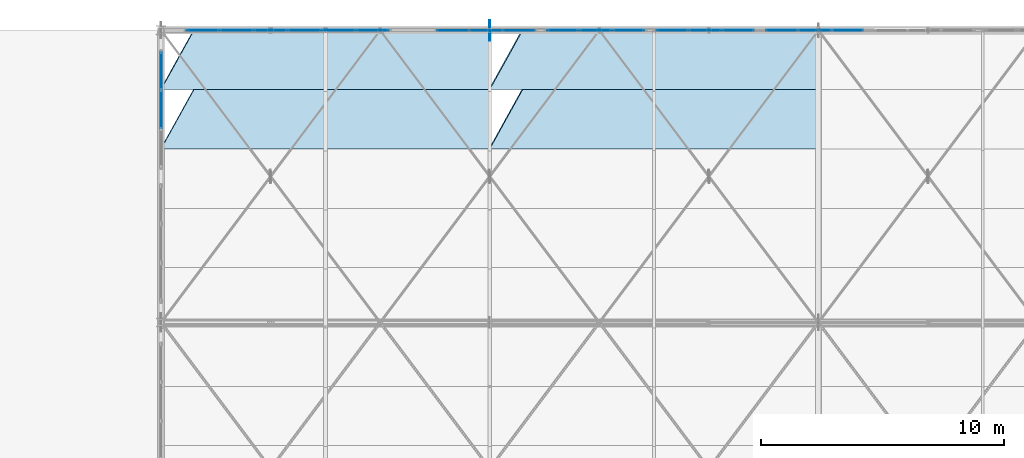
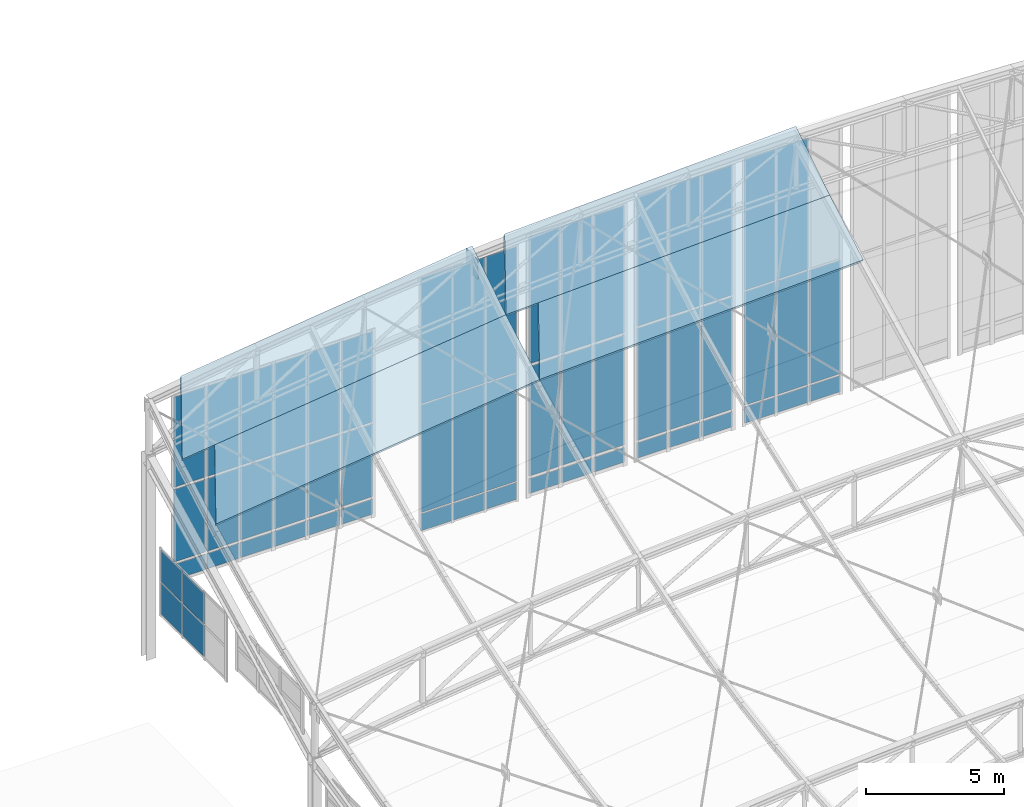
# One storey, part 234 of 262: 58 plates, 4 slabs, 6 elements without a shape of their own.
"""IFC4 building model written with IfcOpenShell, lengths in metres."""

from ifc_helpers import new_model, si_unit, derived_unit, direction, frame, origin, origin_2d, place, context, subcontext, project, spatial, polyline, rectangle, outline, extrude, material, layer, layer_set, type_object, element, aggregate, save


model = new_model("IFC4")

# Units and contexts
model_context = context("Model", 3, precision=1e-05, world=origin(), true_north=direction((0.0, 1.0)))
body_context = subcontext(model_context, "Body", "Model", "MODEL_VIEW")
ifc_project = project(units=[si_unit("LENGTHUNIT", "METRE"), si_unit("AREAUNIT", "SQUARE_METRE"), si_unit("VOLUMEUNIT", "CUBIC_METRE"), si_unit("PLANEANGLEUNIT", "RADIAN"), si_unit("MASSUNIT", "GRAM", prefix="KILO"), derived_unit("THERMALTRANSMITTANCEUNIT", [(si_unit("POWERUNIT", "WATT"), 1), (si_unit("LENGTHUNIT", "METRE"), -2), (si_unit("THERMODYNAMICTEMPERATUREUNIT", "KELVIN"), -1)])], contexts=[model_context])

# Site, building, storey
site_placement = place(None, origin())
site = spatial("IfcSite", under=ifc_project, at=site_placement, CompositionType="ELEMENT")
building_placement = place(site_placement, origin())
building = spatial("IfcBuilding", under=site, at=building_placement, Name="Almenara Railside Exhibition Hall", CompositionType="ELEMENT")
storey_placement = place(building_placement, frame((0.0, 0.0, 21.699951171875)))
storey = spatial("IfcBuildingStorey", under=building, at=storey_placement, Name="RF", CompositionType="ELEMENT", Elevation=21.699951171875)

# Curtain wall, plates
ifc_material_1 = material(Name="Bronze-anodised aluminium and low-E double glazing", Category="aluminium")
ifc_layer_1 = layer(ifc_material_1, 0.179931640625, Name="Bronze-anodised aluminium and low-E double glazing")
ifc_layer_set_1 = layer_set([ifc_layer_1], Name="Bronze-anodised aluminium and low-E double glazing")
curtain_wall_type_1 = type_object("IfcCurtainWallType", Name="Scroll Gable Tall Curtain Wall 3800x5400", PredefinedType="NOTDEFINED", material=ifc_layer_set_1)
curtain_wall_1_placement = place(storey_placement, origin())
curtain_wall_1 = element("IfcCurtainWall", 1, at=curtain_wall_1_placement, inside=storey, type_object=curtain_wall_type_1, Name="Curtain wall CW-G1-205", PredefinedType="NOTDEFINED")
ifc_material_2 = material(Name="Solar-control acoustic laminated glazing", Category="glass")
ifc_layer_2 = layer(ifc_material_2, 0.031982421875, Name="Solar-control acoustic laminated glazing")
ifc_layer_set_2 = layer_set([ifc_layer_2], Name="Solar-control acoustic laminated glazing")
plate_type_1 = type_object("IfcPlateType", Name="Acoustic Low-E Double Glazing Panel 32mm", PredefinedType="CURTAIN_PANEL", material=ifc_layer_set_2)
plate_1_placement = place(storey_placement, frame((13.71630859375, 132.0, 0.6240234375), z_axis=(0.0, 0.0, 1.0), x_axis=(1.0, 0.0, 0.0)))
plate_1 = element("IfcPlate", 2, at=plate_1_placement, type_object=plate_type_1, Name="CW-G1-205 panel 1.1", PredefinedType="CURTAIN_PANEL", context=body_context, shape_type="SweptSolid", body=[
    extrude(rectangle(XDim=1.318603515625, YDim=0.031982421875, at=origin_2d()), origin(), (0.0, 0.0, 1.0), 0.672119140625),
])
plate_2_placement = place(storey_placement, frame((13.71630859375, 132.0, 1.404052734375), z_axis=(0.0, 0.0, 1.0), x_axis=(1.0, 0.0, 0.0)))
plate_2 = element("IfcPlate", 3, at=plate_2_placement, type_object=plate_type_1, Name="CW-G1-205 panel 1.2", PredefinedType="CURTAIN_PANEL", context=body_context, shape_type="SweptSolid", body=[
    extrude(rectangle(XDim=1.318603515625, YDim=0.031982421875, at=origin_2d()), origin(), (0.0, 0.0, 1.0), 3.19189453125),
])
plate_3_placement = place(storey_placement, frame((13.71630859375, 132.0, 4.7041015625), z_axis=(0.0, 0.0, 1.0), x_axis=(1.0, 0.0, 0.0)))
plate_3 = element("IfcPlate", 4, at=plate_3_placement, type_object=plate_type_1, Name="CW-G1-205 panel 1.3", PredefinedType="CURTAIN_PANEL", context=body_context, shape_type="SweptSolid", body=[
    extrude(rectangle(XDim=1.318603515625, YDim=0.031982421875, at=origin_2d()), origin(), (0.0, 0.0, 1.0), 3.971923828125),
])
plate_4_placement = place(storey_placement, frame((15.10009765625, 132.0, 0.6240234375), z_axis=(0.0, 0.0, 1.0), x_axis=(1.0, 0.0, 0.0)))
plate_4 = element("IfcPlate", 5, at=plate_4_placement, type_object=plate_type_1, Name="CW-G1-205 panel 2.1", PredefinedType="CURTAIN_PANEL", context=body_context, shape_type="SweptSolid", body=[
    extrude(rectangle(XDim=1.35107421875, YDim=0.031982421875, at=origin_2d()), origin(), (0.0, 0.0, 1.0), 0.672119140625),
])
plate_5_placement = place(storey_placement, frame((15.10009765625, 132.0, 1.404052734375), z_axis=(0.0, 0.0, 1.0), x_axis=(1.0, 0.0, 0.0)))
plate_5 = element("IfcPlate", 6, at=plate_5_placement, type_object=plate_type_1, Name="CW-G1-205 panel 2.2", PredefinedType="CURTAIN_PANEL", context=body_context, shape_type="SweptSolid", body=[
    extrude(rectangle(XDim=1.35107421875, YDim=0.031982421875, at=origin_2d()), origin(), (0.0, 0.0, 1.0), 3.19189453125),
])
plate_6_placement = place(storey_placement, frame((15.10009765625, 132.0, 4.7041015625), z_axis=(0.0, 0.0, 1.0), x_axis=(1.0, 0.0, 0.0)))
plate_6 = element("IfcPlate", 7, at=plate_6_placement, type_object=plate_type_1, Name="CW-G1-205 panel 2.3", PredefinedType="CURTAIN_PANEL", context=body_context, shape_type="SweptSolid", body=[
    extrude(rectangle(XDim=1.35107421875, YDim=0.031982421875, at=origin_2d()), origin(), (0.0, 0.0, 1.0), 3.971923828125),
])
plate_7_placement = place(storey_placement, frame((16.5, 132.0, 0.6240234375), z_axis=(0.0, 0.0, 1.0), x_axis=(1.0, 0.0, 0.0)))
plate_7 = element("IfcPlate", 8, at=plate_7_placement, type_object=plate_type_1, Name="CW-G1-205 panel 3.1", PredefinedType="CURTAIN_PANEL", context=body_context, shape_type="SweptSolid", body=[
    extrude(rectangle(XDim=1.35107421875, YDim=0.031982421875, at=origin_2d()), origin(), (0.0, 0.0, 1.0), 0.672119140625),
])
plate_8_placement = place(storey_placement, frame((16.5, 132.0, 1.404052734375), z_axis=(0.0, 0.0, 1.0), x_axis=(1.0, 0.0, 0.0)))
plate_8 = element("IfcPlate", 9, at=plate_8_placement, type_object=plate_type_1, Name="CW-G1-205 panel 3.2", PredefinedType="CURTAIN_PANEL", context=body_context, shape_type="SweptSolid", body=[
    extrude(rectangle(XDim=1.35107421875, YDim=0.031982421875, at=origin_2d()), origin(), (0.0, 0.0, 1.0), 3.19189453125),
])
plate_9_placement = place(storey_placement, frame((16.5, 132.0, 4.7041015625), z_axis=(0.0, 0.0, 1.0), x_axis=(1.0, 0.0, 0.0)))
plate_9 = element("IfcPlate", 10, at=plate_9_placement, type_object=plate_type_1, Name="CW-G1-205 panel 3.3", PredefinedType="CURTAIN_PANEL", context=body_context, shape_type="SweptSolid", body=[
    extrude(rectangle(XDim=1.35107421875, YDim=0.031982421875, at=origin_2d()), origin(), (0.0, 0.0, 1.0), 3.971923828125),
])
plate_10_placement = place(storey_placement, frame((17.89990234375, 132.0, 0.6240234375), z_axis=(0.0, 0.0, 1.0), x_axis=(1.0, 0.0, 0.0)))
plate_10 = element("IfcPlate", 11, at=plate_10_placement, type_object=plate_type_1, Name="CW-G1-205 panel 4.1", PredefinedType="CURTAIN_PANEL", context=body_context, shape_type="SweptSolid", body=[
    extrude(rectangle(XDim=1.35107421875, YDim=0.031982421875, at=origin_2d()), origin(), (0.0, 0.0, 1.0), 0.672119140625),
])
plate_11_placement = place(storey_placement, frame((17.89990234375, 132.0, 1.404052734375), z_axis=(0.0, 0.0, 1.0), x_axis=(1.0, 0.0, 0.0)))
plate_11 = element("IfcPlate", 12, at=plate_11_placement, type_object=plate_type_1, Name="CW-G1-205 panel 4.2", PredefinedType="CURTAIN_PANEL", context=body_context, shape_type="SweptSolid", body=[
    extrude(rectangle(XDim=1.35107421875, YDim=0.031982421875, at=origin_2d()), origin(), (0.0, 0.0, 1.0), 3.19189453125),
])
plate_12_placement = place(storey_placement, frame((17.89990234375, 132.0, 4.7041015625), z_axis=(0.0, 0.0, 1.0), x_axis=(1.0, 0.0, 0.0)))
plate_12 = element("IfcPlate", 13, at=plate_12_placement, type_object=plate_type_1, Name="CW-G1-205 panel 4.3", PredefinedType="CURTAIN_PANEL", context=body_context, shape_type="SweptSolid", body=[
    extrude(rectangle(XDim=1.35107421875, YDim=0.031982421875, at=origin_2d()), origin(), (0.0, 0.0, 1.0), 3.971923828125),
])
plate_13_placement = place(storey_placement, frame((19.300048828125, 132.0, 0.6240234375), z_axis=(0.0, 0.0, 1.0), x_axis=(1.0, 0.0, 0.0)))
plate_13 = element("IfcPlate", 14, at=plate_13_placement, type_object=plate_type_1, Name="CW-G1-205 panel 5.1", PredefinedType="CURTAIN_PANEL", context=body_context, shape_type="SweptSolid", body=[
    extrude(rectangle(XDim=1.35107421875, YDim=0.031982421875, at=origin_2d()), origin(), (0.0, 0.0, 1.0), 0.672119140625),
])
plate_14_placement = place(storey_placement, frame((19.300048828125, 132.0, 1.404052734375), z_axis=(0.0, 0.0, 1.0), x_axis=(1.0, 0.0, 0.0)))
plate_14 = element("IfcPlate", 15, at=plate_14_placement, type_object=plate_type_1, Name="CW-G1-205 panel 5.2", PredefinedType="CURTAIN_PANEL", context=body_context, shape_type="SweptSolid", body=[
    extrude(rectangle(XDim=1.35107421875, YDim=0.031982421875, at=origin_2d()), origin(), (0.0, 0.0, 1.0), 3.19189453125),
])
plate_15_placement = place(storey_placement, frame((19.300048828125, 132.0, 4.7041015625), z_axis=(0.0, 0.0, 1.0), x_axis=(1.0, 0.0, 0.0)))
plate_15 = element("IfcPlate", 16, at=plate_15_placement, type_object=plate_type_1, Name="CW-G1-205 panel 5.3", PredefinedType="CURTAIN_PANEL", context=body_context, shape_type="SweptSolid", body=[
    extrude(rectangle(XDim=1.35107421875, YDim=0.031982421875, at=origin_2d()), origin(), (0.0, 0.0, 1.0), 3.971923828125),
])
plate_16_placement = place(storey_placement, frame((20.683837890625, 132.0, 0.6240234375), z_axis=(0.0, 0.0, 1.0), x_axis=(1.0, 0.0, 0.0)))
plate_16 = element("IfcPlate", 17, at=plate_16_placement, type_object=plate_type_1, Name="CW-G1-205 panel 6.1", PredefinedType="CURTAIN_PANEL", context=body_context, shape_type="SweptSolid", body=[
    extrude(rectangle(XDim=1.318603515625, YDim=0.031982421875, at=origin_2d()), origin(), (0.0, 0.0, 1.0), 0.672119140625),
])
plate_17_placement = place(storey_placement, frame((20.683837890625, 132.0, 1.404052734375), z_axis=(0.0, 0.0, 1.0), x_axis=(1.0, 0.0, 0.0)))
plate_17 = element("IfcPlate", 18, at=plate_17_placement, type_object=plate_type_1, Name="CW-G1-205 panel 6.2", PredefinedType="CURTAIN_PANEL", context=body_context, shape_type="SweptSolid", body=[
    extrude(rectangle(XDim=1.318603515625, YDim=0.031982421875, at=origin_2d()), origin(), (0.0, 0.0, 1.0), 3.19189453125),
])
plate_18_placement = place(storey_placement, frame((20.683837890625, 132.0, 4.7041015625), z_axis=(0.0, 0.0, 1.0), x_axis=(1.0, 0.0, 0.0)))
plate_18 = element("IfcPlate", 19, at=plate_18_placement, type_object=plate_type_1, Name="CW-G1-205 panel 6.3", PredefinedType="CURTAIN_PANEL", context=body_context, shape_type="SweptSolid", body=[
    extrude(rectangle(XDim=1.318603515625, YDim=0.031982421875, at=origin_2d()), origin(), (0.0, 0.0, 1.0), 3.971923828125),
])
aggregate(curtain_wall_1, [plate_1, plate_2, plate_3, plate_4, plate_5, plate_6, plate_7, plate_8, plate_9, plate_10, plate_11, plate_12, plate_13, plate_14, plate_15, plate_16, plate_17, plate_18])

curtain_wall_2_placement = place(storey_placement, origin())
curtain_wall_2 = element("IfcCurtainWall", 20, at=curtain_wall_2_placement, inside=storey, type_object=curtain_wall_type_1, Name="Curtain wall CW-G1-210", PredefinedType="NOTDEFINED")
plate_19_placement = place(storey_placement, frame((37.498291015625, 132.0, -0.80615234375), z_axis=(0.0, 0.0, 1.0), x_axis=(1.0, 0.0, 0.0)))
plate_19 = element("IfcPlate", 21, at=plate_19_placement, type_object=plate_type_1, Name="CW-G1-210 panel 1.1", PredefinedType="CURTAIN_PANEL", context=body_context, shape_type="SweptSolid", body=[
    extrude(rectangle(XDim=1.292724609375, YDim=0.031982421875, at=origin_2d()), origin(), (0.0, 0.0, 1.0), 0.717041015625),
])
plate_20_placement = place(storey_placement, frame((37.498291015625, 132.0, -0.010986328125), z_axis=(0.0, 0.0, 1.0), x_axis=(1.0, 0.0, 0.0)))
plate_20 = element("IfcPlate", 22, at=plate_20_placement, type_object=plate_type_1, Name="CW-G1-210 panel 1.2", PredefinedType="CURTAIN_PANEL", context=body_context, shape_type="SweptSolid", body=[
    extrude(rectangle(XDim=1.292724609375, YDim=0.031982421875, at=origin_2d()), origin(), (0.0, 0.0, 1.0), 4.9970703125),
])
plate_21_placement = place(storey_placement, frame((37.498291015625, 132.0, 5.06396484375), z_axis=(0.0, 0.0, 1.0), x_axis=(1.0, 0.0, 0.0)))
plate_21 = element("IfcPlate", 23, at=plate_21_placement, type_object=plate_type_1, Name="CW-G1-210 panel 1.3", PredefinedType="CURTAIN_PANEL", context=body_context, shape_type="SweptSolid", body=[
    extrude(rectangle(XDim=1.292724609375, YDim=0.031982421875, at=origin_2d()), origin(), (0.0, 0.0, 1.0), 5.7919921875),
])
plate_22_placement = place(storey_placement, frame((38.85009765625, 132.0, -0.80615234375), z_axis=(0.0, 0.0, 1.0), x_axis=(1.0, 0.0, 0.0)))
plate_22 = element("IfcPlate", 24, at=plate_22_placement, type_object=plate_type_1, Name="CW-G1-210 panel 2.1", PredefinedType="CURTAIN_PANEL", context=body_context, shape_type="SweptSolid", body=[
    extrude(rectangle(XDim=1.32275390625, YDim=0.031982421875, at=origin_2d()), origin(), (0.0, 0.0, 1.0), 0.717041015625),
])
plate_23_placement = place(storey_placement, frame((38.85009765625, 132.0, -0.010986328125), z_axis=(0.0, 0.0, 1.0), x_axis=(1.0, 0.0, 0.0)))
plate_23 = element("IfcPlate", 25, at=plate_23_placement, type_object=plate_type_1, Name="CW-G1-210 panel 2.2", PredefinedType="CURTAIN_PANEL", context=body_context, shape_type="SweptSolid", body=[
    extrude(rectangle(XDim=1.32275390625, YDim=0.031982421875, at=origin_2d()), origin(), (0.0, 0.0, 1.0), 4.9970703125),
])
plate_24_placement = place(storey_placement, frame((38.85009765625, 132.0, 5.06396484375), z_axis=(0.0, 0.0, 1.0), x_axis=(1.0, 0.0, 0.0)))
plate_24 = element("IfcPlate", 26, at=plate_24_placement, type_object=plate_type_1, Name="CW-G1-210 panel 2.3", PredefinedType="CURTAIN_PANEL", context=body_context, shape_type="SweptSolid", body=[
    extrude(rectangle(XDim=1.32275390625, YDim=0.031982421875, at=origin_2d()), origin(), (0.0, 0.0, 1.0), 5.7919921875),
])
plate_25_placement = place(storey_placement, frame((40.20166015625, 132.0, -0.80615234375), z_axis=(0.0, 0.0, 1.0), x_axis=(1.0, 0.0, 0.0)))
plate_25 = element("IfcPlate", 27, at=plate_25_placement, type_object=plate_type_1, Name="CW-G1-210 panel 3.1", PredefinedType="CURTAIN_PANEL", context=body_context, shape_type="SweptSolid", body=[
    extrude(rectangle(XDim=1.292724609375, YDim=0.031982421875, at=origin_2d()), origin(), (0.0, 0.0, 1.0), 0.717041015625),
])
plate_26_placement = place(storey_placement, frame((40.20166015625, 132.0, -0.010986328125), z_axis=(0.0, 0.0, 1.0), x_axis=(1.0, 0.0, 0.0)))
plate_26 = element("IfcPlate", 28, at=plate_26_placement, type_object=plate_type_1, Name="CW-G1-210 panel 3.2", PredefinedType="CURTAIN_PANEL", context=body_context, shape_type="SweptSolid", body=[
    extrude(rectangle(XDim=1.292724609375, YDim=0.031982421875, at=origin_2d()), origin(), (0.0, 0.0, 1.0), 4.9970703125),
])
aggregate(curtain_wall_2, [plate_19, plate_20, plate_21, plate_22, plate_23, plate_24, plate_25, plate_26])

curtain_wall_3_placement = place(storey_placement, origin())
curtain_wall_3 = element("IfcCurtainWall", 29, at=curtain_wall_3_placement, inside=storey, type_object=curtain_wall_type_1, Name="Curtain wall CW-G1-207", PredefinedType="NOTDEFINED")
ifc_material_3 = material(Name="Clear low-E laminated double glazing", Category="glass")
ifc_layer_3 = layer(ifc_material_3, 0.02392578125, Name="Clear low-E laminated double glazing")
ifc_layer_set_3 = layer_set([ifc_layer_3], Name="Clear low-E laminated double glazing")
plate_type_2 = type_object("IfcPlateType", Name="Courtyard Clear Double Glazing Panel 24mm", PredefinedType="CURTAIN_PANEL", material=ifc_layer_set_3)
plate_27_placement = place(storey_placement, frame((23.9970703125, 132.0, -0.825927734375), z_axis=(0.0, 0.0, 1.0), x_axis=(1.0, 0.0, 0.0)))
plate_27 = element("IfcPlate", 30, at=plate_27_placement, type_object=plate_type_2, Name="CW-G1-207 panel 1.1", PredefinedType="CURTAIN_PANEL", context=body_context, shape_type="SweptSolid", body=[
    extrude(rectangle(XDim=1.300048828125, YDim=0.02392578125, at=origin_2d()), origin(), (0.0, 0.0, 1.0), 0.7470703125),
])
plate_28_placement = place(storey_placement, frame((23.9970703125, 132.0, -0.02099609375), z_axis=(0.0, 0.0, 1.0), x_axis=(1.0, 0.0, 0.0)))
plate_28 = element("IfcPlate", 31, at=plate_28_placement, type_object=plate_type_2, Name="CW-G1-207 panel 1.2", PredefinedType="CURTAIN_PANEL", context=body_context, shape_type="SweptSolid", body=[
    extrude(rectangle(XDim=1.300048828125, YDim=0.02392578125, at=origin_2d()), origin(), (0.0, 0.0, 1.0), 4.737060546875),
])
plate_29_placement = place(storey_placement, frame((23.9970703125, 132.0, 4.774169921875), z_axis=(0.0, 0.0, 1.0), x_axis=(1.0, 0.0, 0.0)))
plate_29 = element("IfcPlate", 32, at=plate_29_placement, type_object=plate_type_2, Name="CW-G1-207 panel 1.3", PredefinedType="CURTAIN_PANEL", context=body_context, shape_type="SweptSolid", body=[
    extrude(rectangle(XDim=1.300048828125, YDim=0.02392578125, at=origin_2d()), origin(), (0.0, 0.0, 1.0), 5.5419921875),
])
plate_30_placement = place(storey_placement, frame((25.35009765625, 132.0, -0.825927734375), z_axis=(0.0, 0.0, 1.0), x_axis=(1.0, 0.0, 0.0)))
plate_30 = element("IfcPlate", 33, at=plate_30_placement, type_object=plate_type_2, Name="CW-G1-207 panel 2.1", PredefinedType="CURTAIN_PANEL", context=body_context, shape_type="SweptSolid", body=[
    extrude(rectangle(XDim=1.32763671875, YDim=0.02392578125, at=origin_2d()), origin(), (0.0, 0.0, 1.0), 0.7470703125),
])
plate_31_placement = place(storey_placement, frame((25.35009765625, 132.0, -0.02099609375), z_axis=(0.0, 0.0, 1.0), x_axis=(1.0, 0.0, 0.0)))
plate_31 = element("IfcPlate", 34, at=plate_31_placement, type_object=plate_type_2, Name="CW-G1-207 panel 2.2", PredefinedType="CURTAIN_PANEL", context=body_context, shape_type="SweptSolid", body=[
    extrude(rectangle(XDim=1.32763671875, YDim=0.02392578125, at=origin_2d()), origin(), (0.0, 0.0, 1.0), 4.737060546875),
])
plate_32_placement = place(storey_placement, frame((25.35009765625, 132.0, 4.774169921875), z_axis=(0.0, 0.0, 1.0), x_axis=(1.0, 0.0, 0.0)))
plate_32 = element("IfcPlate", 35, at=plate_32_placement, type_object=plate_type_2, Name="CW-G1-207 panel 2.3", PredefinedType="CURTAIN_PANEL", context=body_context, shape_type="SweptSolid", body=[
    extrude(rectangle(XDim=1.32763671875, YDim=0.02392578125, at=origin_2d()), origin(), (0.0, 0.0, 1.0), 5.5419921875),
])
plate_33_placement = place(storey_placement, frame((26.702880859375, 132.0, -0.825927734375), z_axis=(0.0, 0.0, 1.0), x_axis=(1.0, 0.0, 0.0)))
plate_33 = element("IfcPlate", 36, at=plate_33_placement, type_object=plate_type_2, Name="CW-G1-207 panel 3.1", PredefinedType="CURTAIN_PANEL", context=body_context, shape_type="SweptSolid", body=[
    extrude(rectangle(XDim=1.300048828125, YDim=0.02392578125, at=origin_2d()), origin(), (0.0, 0.0, 1.0), 0.7470703125),
])
plate_34_placement = place(storey_placement, frame((26.702880859375, 132.0, -0.02099609375), z_axis=(0.0, 0.0, 1.0), x_axis=(1.0, 0.0, 0.0)))
plate_34 = element("IfcPlate", 37, at=plate_34_placement, type_object=plate_type_2, Name="CW-G1-207 panel 3.2", PredefinedType="CURTAIN_PANEL", context=body_context, shape_type="SweptSolid", body=[
    extrude(rectangle(XDim=1.300048828125, YDim=0.02392578125, at=origin_2d()), origin(), (0.0, 0.0, 1.0), 4.737060546875),
])
plate_35_placement = place(storey_placement, frame((26.702880859375, 132.0, 4.774169921875), z_axis=(0.0, 0.0, 1.0), x_axis=(1.0, 0.0, 0.0)))
plate_35 = element("IfcPlate", 38, at=plate_35_placement, type_object=plate_type_2, Name="CW-G1-207 panel 3.3", PredefinedType="CURTAIN_PANEL", context=body_context, shape_type="SweptSolid", body=[
    extrude(rectangle(XDim=1.300048828125, YDim=0.02392578125, at=origin_2d()), origin(), (0.0, 0.0, 1.0), 5.5419921875),
])
aggregate(curtain_wall_3, [plate_27, plate_28, plate_29, plate_30, plate_31, plate_32, plate_33, plate_34, plate_35])

ifc_layer_4 = layer(ifc_material_1, 0.179931640625, Name="Bronze-anodised aluminium and low-E double glazing")
ifc_layer_set_4 = layer_set([ifc_layer_4], Name="Bronze-anodised aluminium and low-E double glazing")
curtain_wall_type_2 = type_object("IfcCurtainWallType", Name="West Hall Clerestory Curtain Wall 4200x2400", PredefinedType="NOTDEFINED", material=ifc_layer_set_4)
curtain_wall_4_placement = place(storey_placement, origin())
curtain_wall_4 = element("IfcCurtainWall", 39, at=curtain_wall_4_placement, inside=storey, type_object=curtain_wall_type_2, Name="Curtain wall CW-CL1-193", PredefinedType="NOTDEFINED")
ifc_material_4 = material(Name="Bronze-anodised insulated aluminium spandrel", Category="aluminium")
ifc_layer_5 = layer(ifc_material_4, 0.0400390625, Name="Bronze-anodised insulated aluminium spandrel")
ifc_layer_set_5 = layer_set([ifc_layer_5], Name="Bronze-anodised insulated aluminium spandrel")
plate_type_3 = type_object("IfcPlateType", Name="Insulated Bronze Spandrel Panel 40mm", PredefinedType="CURTAIN_PANEL", material=ifc_layer_set_5)
plate_36_placement = place(storey_placement, frame((12.0, 128.75, 0.0439453125), z_axis=(0.0, 0.0, 1.0), x_axis=(0.0, 1.0, 0.0)))
plate_36 = element("IfcPlate", 40, at=plate_36_placement, type_object=plate_type_3, Name="CW-CL1-193 panel 2.1", PredefinedType="CURTAIN_PANEL", context=body_context, shape_type="SweptSolid", body=[
    extrude(rectangle(XDim=1.555908203125, YDim=0.0400390625, at=origin_2d()), origin(), (0.0, 0.0, 1.0), 1.362060546875),
])
plate_37_placement = place(storey_placement, frame((12.0, 128.75, 1.48388671875), z_axis=(0.0, 0.0, 1.0), x_axis=(0.0, 1.0, 0.0)))
plate_37 = element("IfcPlate", 41, at=plate_37_placement, type_object=plate_type_3, Name="CW-CL1-193 panel 2.2", PredefinedType="CURTAIN_PANEL", context=body_context, shape_type="SweptSolid", body=[
    extrude(rectangle(XDim=1.555908203125, YDim=0.0400390625, at=origin_2d()), origin(), (0.0, 0.0, 1.0), 1.362060546875),
])
plate_38_placement = place(storey_placement, frame((12.0, 130.3349609375, 0.0439453125), z_axis=(0.0, 0.0, 1.0), x_axis=(0.0, 1.0, 0.0)))
plate_38 = element("IfcPlate", 42, at=plate_38_placement, type_object=plate_type_3, Name="CW-CL1-193 panel 3.1", PredefinedType="CURTAIN_PANEL", context=body_context, shape_type="SweptSolid", body=[
    extrude(rectangle(XDim=1.52587890625, YDim=0.0400390625, at=origin_2d()), origin(), (0.0, 0.0, 1.0), 1.362060546875),
])
plate_39_placement = place(storey_placement, frame((12.0, 130.3349609375, 1.48388671875), z_axis=(0.0, 0.0, 1.0), x_axis=(0.0, 1.0, 0.0)))
plate_39 = element("IfcPlate", 43, at=plate_39_placement, type_object=plate_type_3, Name="CW-CL1-193 panel 3.2", PredefinedType="CURTAIN_PANEL", context=body_context, shape_type="SweptSolid", body=[
    extrude(rectangle(XDim=1.52587890625, YDim=0.0400390625, at=origin_2d()), origin(), (0.0, 0.0, 1.0), 1.362060546875),
])
aggregate(curtain_wall_4, [plate_36, plate_37, plate_38, plate_39])

curtain_wall_5_placement = place(storey_placement, origin())
curtain_wall_5 = element("IfcCurtainWall", 44, at=curtain_wall_5_placement, inside=storey, type_object=curtain_wall_type_1, Name="Curtain wall CW-G1-208", PredefinedType="NOTDEFINED")
plate_40_placement = place(storey_placement, frame((28.500732421875, 132.0, -0.756103515625), z_axis=(0.0, 0.0, 1.0), x_axis=(1.0, 0.0, 0.0)))
plate_40 = element("IfcPlate", 45, at=plate_40_placement, type_object=plate_type_3, Name="CW-G1-208 panel 1.1", PredefinedType="CURTAIN_PANEL", context=body_context, shape_type="SweptSolid", body=[
    extrude(rectangle(XDim=1.277587890625, YDim=0.0400390625, at=origin_2d()), origin(), (0.0, 0.0, 1.0), 0.64208984375),
])
plate_41_placement = place(storey_placement, frame((28.500732421875, 132.0, 0.01416015625), z_axis=(0.0, 0.0, 1.0), x_axis=(1.0, 0.0, 0.0)))
plate_41 = element("IfcPlate", 46, at=plate_41_placement, type_object=plate_type_3, Name="CW-G1-208 panel 1.2", PredefinedType="CURTAIN_PANEL", context=body_context, shape_type="SweptSolid", body=[
    extrude(rectangle(XDim=1.277587890625, YDim=0.0400390625, at=origin_2d()), origin(), (0.0, 0.0, 1.0), 4.822021484375),
])
plate_42_placement = place(storey_placement, frame((28.500732421875, 132.0, 4.9638671875), z_axis=(0.0, 0.0, 1.0), x_axis=(1.0, 0.0, 0.0)))
plate_42 = element("IfcPlate", 47, at=plate_42_placement, type_object=plate_type_3, Name="CW-G1-208 panel 1.3", PredefinedType="CURTAIN_PANEL", context=body_context, shape_type="SweptSolid", body=[
    extrude(rectangle(XDim=1.277587890625, YDim=0.0400390625, at=origin_2d()), origin(), (0.0, 0.0, 1.0), 5.592041015625),
])
plate_43_placement = place(storey_placement, frame((29.85009765625, 132.0, -0.756103515625), z_axis=(0.0, 0.0, 1.0), x_axis=(1.0, 0.0, 0.0)))
plate_43 = element("IfcPlate", 48, at=plate_43_placement, type_object=plate_type_3, Name="CW-G1-208 panel 2.1", PredefinedType="CURTAIN_PANEL", context=body_context, shape_type="SweptSolid", body=[
    extrude(rectangle(XDim=1.312744140625, YDim=0.0400390625, at=origin_2d()), origin(), (0.0, 0.0, 1.0), 0.64208984375),
])
plate_44_placement = place(storey_placement, frame((29.85009765625, 132.0, 0.01416015625), z_axis=(0.0, 0.0, 1.0), x_axis=(1.0, 0.0, 0.0)))
plate_44 = element("IfcPlate", 49, at=plate_44_placement, type_object=plate_type_3, Name="CW-G1-208 panel 2.2", PredefinedType="CURTAIN_PANEL", context=body_context, shape_type="SweptSolid", body=[
    extrude(rectangle(XDim=1.312744140625, YDim=0.0400390625, at=origin_2d()), origin(), (0.0, 0.0, 1.0), 4.822021484375),
])
plate_45_placement = place(storey_placement, frame((29.85009765625, 132.0, 4.9638671875), z_axis=(0.0, 0.0, 1.0), x_axis=(1.0, 0.0, 0.0)))
plate_45 = element("IfcPlate", 50, at=plate_45_placement, type_object=plate_type_3, Name="CW-G1-208 panel 2.3", PredefinedType="CURTAIN_PANEL", context=body_context, shape_type="SweptSolid", body=[
    extrude(rectangle(XDim=1.312744140625, YDim=0.0400390625, at=origin_2d()), origin(), (0.0, 0.0, 1.0), 5.592041015625),
])
plate_46_placement = place(storey_placement, frame((31.19921875, 132.0, -0.756103515625), z_axis=(0.0, 0.0, 1.0), x_axis=(1.0, 0.0, 0.0)))
plate_46 = element("IfcPlate", 51, at=plate_46_placement, type_object=plate_type_3, Name="CW-G1-208 panel 3.1", PredefinedType="CURTAIN_PANEL", context=body_context, shape_type="SweptSolid", body=[
    extrude(rectangle(XDim=1.277587890625, YDim=0.0400390625, at=origin_2d()), origin(), (0.0, 0.0, 1.0), 0.64208984375),
])
plate_47_placement = place(storey_placement, frame((31.19921875, 132.0, 0.01416015625), z_axis=(0.0, 0.0, 1.0), x_axis=(1.0, 0.0, 0.0)))
plate_47 = element("IfcPlate", 52, at=plate_47_placement, type_object=plate_type_3, Name="CW-G1-208 panel 3.2", PredefinedType="CURTAIN_PANEL", context=body_context, shape_type="SweptSolid", body=[
    extrude(rectangle(XDim=1.277587890625, YDim=0.0400390625, at=origin_2d()), origin(), (0.0, 0.0, 1.0), 4.822021484375),
])
plate_48_placement = place(storey_placement, frame((31.19921875, 132.0, 4.9638671875), z_axis=(0.0, 0.0, 1.0), x_axis=(1.0, 0.0, 0.0)))
plate_48 = element("IfcPlate", 53, at=plate_48_placement, type_object=plate_type_3, Name="CW-G1-208 panel 3.3", PredefinedType="CURTAIN_PANEL", context=body_context, shape_type="SweptSolid", body=[
    extrude(rectangle(XDim=1.277587890625, YDim=0.0400390625, at=origin_2d()), origin(), (0.0, 0.0, 1.0), 5.592041015625),
])
aggregate(curtain_wall_5, [plate_40, plate_41, plate_42, plate_43, plate_44, plate_45, plate_46, plate_47, plate_48])

curtain_wall_6_placement = place(storey_placement, origin())
curtain_wall_6 = element("IfcCurtainWall", 54, at=curtain_wall_6_placement, inside=storey, type_object=curtain_wall_type_1, Name="Curtain wall CW-G1-209", PredefinedType="NOTDEFINED")
ifc_layer_6 = layer(ifc_material_4, 0.034912109375, Name="Bronze-anodised insulated aluminium spandrel")
ifc_layer_set_6 = layer_set([ifc_layer_6], Name="Bronze-anodised insulated aluminium spandrel")
plate_type_4 = type_object("IfcPlateType", Name="Insulated Stucco-Tone Spandrel Panel 35mm", PredefinedType="CURTAIN_PANEL", material=ifc_layer_set_6)
plate_49_placement = place(storey_placement, frame((32.99951171875, 132.0, -0.77587890625), z_axis=(0.0, 0.0, 1.0), x_axis=(1.0, 0.0, 0.0)))
plate_49 = element("IfcPlate", 55, at=plate_49_placement, type_object=plate_type_4, Name="CW-G1-209 panel 1.1", PredefinedType="CURTAIN_PANEL", context=body_context, shape_type="SweptSolid", body=[
    extrude(rectangle(XDim=1.28515625, YDim=0.034912109375, at=origin_2d()), origin(), (0.0, 0.0, 1.0), 0.672119140625),
])
plate_50_placement = place(storey_placement, frame((32.99951171875, 132.0, 0.00390625), z_axis=(0.0, 0.0, 1.0), x_axis=(1.0, 0.0, 0.0)))
plate_50 = element("IfcPlate", 56, at=plate_50_placement, type_object=plate_type_4, Name="CW-G1-209 panel 1.2", PredefinedType="CURTAIN_PANEL", context=body_context, shape_type="SweptSolid", body=[
    extrude(rectangle(XDim=1.28515625, YDim=0.034912109375, at=origin_2d()), origin(), (0.0, 0.0, 1.0), 4.931884765625),
])
plate_51_placement = place(storey_placement, frame((32.99951171875, 132.0, 5.044189453125), z_axis=(0.0, 0.0, 1.0), x_axis=(1.0, 0.0, 0.0)))
plate_51 = element("IfcPlate", 57, at=plate_51_placement, type_object=plate_type_4, Name="CW-G1-209 panel 1.3", PredefinedType="CURTAIN_PANEL", context=body_context, shape_type="SweptSolid", body=[
    extrude(rectangle(XDim=1.28515625, YDim=0.034912109375, at=origin_2d()), origin(), (0.0, 0.0, 1.0), 5.7119140625),
])
plate_52_placement = place(storey_placement, frame((34.35009765625, 132.0, -0.77587890625), z_axis=(0.0, 0.0, 1.0), x_axis=(1.0, 0.0, 0.0)))
plate_52 = element("IfcPlate", 58, at=plate_52_placement, type_object=plate_type_4, Name="CW-G1-209 panel 2.1", PredefinedType="CURTAIN_PANEL", context=body_context, shape_type="SweptSolid", body=[
    extrude(rectangle(XDim=1.317626953125, YDim=0.034912109375, at=origin_2d()), origin(), (0.0, 0.0, 1.0), 0.672119140625),
])
plate_53_placement = place(storey_placement, frame((34.35009765625, 132.0, 0.00390625), z_axis=(0.0, 0.0, 1.0), x_axis=(1.0, 0.0, 0.0)))
plate_53 = element("IfcPlate", 59, at=plate_53_placement, type_object=plate_type_4, Name="CW-G1-209 panel 2.2", PredefinedType="CURTAIN_PANEL", context=body_context, shape_type="SweptSolid", body=[
    extrude(rectangle(XDim=1.317626953125, YDim=0.034912109375, at=origin_2d()), origin(), (0.0, 0.0, 1.0), 4.931884765625),
])
plate_54_placement = place(storey_placement, frame((34.35009765625, 132.0, 5.044189453125), z_axis=(0.0, 0.0, 1.0), x_axis=(1.0, 0.0, 0.0)))
plate_54 = element("IfcPlate", 60, at=plate_54_placement, type_object=plate_type_4, Name="CW-G1-209 panel 2.3", PredefinedType="CURTAIN_PANEL", context=body_context, shape_type="SweptSolid", body=[
    extrude(rectangle(XDim=1.317626953125, YDim=0.034912109375, at=origin_2d()), origin(), (0.0, 0.0, 1.0), 5.7119140625),
])
plate_55_placement = place(storey_placement, frame((35.700439453125, 132.0, -0.77587890625), z_axis=(0.0, 0.0, 1.0), x_axis=(1.0, 0.0, 0.0)))
plate_55 = element("IfcPlate", 61, at=plate_55_placement, type_object=plate_type_4, Name="CW-G1-209 panel 3.1", PredefinedType="CURTAIN_PANEL", context=body_context, shape_type="SweptSolid", body=[
    extrude(rectangle(XDim=1.28515625, YDim=0.034912109375, at=origin_2d()), origin(), (0.0, 0.0, 1.0), 0.672119140625),
])
plate_56_placement = place(storey_placement, frame((35.700439453125, 132.0, 0.00390625), z_axis=(0.0, 0.0, 1.0), x_axis=(1.0, 0.0, 0.0)))
plate_56 = element("IfcPlate", 62, at=plate_56_placement, type_object=plate_type_4, Name="CW-G1-209 panel 3.2", PredefinedType="CURTAIN_PANEL", context=body_context, shape_type="SweptSolid", body=[
    extrude(rectangle(XDim=1.28515625, YDim=0.034912109375, at=origin_2d()), origin(), (0.0, 0.0, 1.0), 4.931884765625),
])
plate_57_placement = place(storey_placement, frame((35.700439453125, 132.0, 5.044189453125), z_axis=(0.0, 0.0, 1.0), x_axis=(1.0, 0.0, 0.0)))
plate_57 = element("IfcPlate", 63, at=plate_57_placement, type_object=plate_type_4, Name="CW-G1-209 panel 3.3", PredefinedType="CURTAIN_PANEL", context=body_context, shape_type="SweptSolid", body=[
    extrude(rectangle(XDim=1.28515625, YDim=0.034912109375, at=origin_2d()), origin(), (0.0, 0.0, 1.0), 5.7119140625),
])
aggregate(curtain_wall_6, [plate_49, plate_50, plate_51, plate_52, plate_53, plate_54, plate_55, plate_56, plate_57])

# Slabs
ifc_material_5 = material(Name="White standing-seam insulated steel S355JR roof deck", Category="steel")
ifc_layer_7 = layer(ifc_material_5, 0.179931640625, Name="White standing-seam insulated steel S355JR roof deck")
ifc_layer_set_7 = layer_set([ifc_layer_7], Name="White standing-seam insulated steel S355JR roof deck")
slab_type = type_object("IfcSlabType", Name="Scroll Tip Standing-Seam Cassette 180mm S355JR", PredefinedType="ROOF", material=ifc_layer_set_7)
slab_1_placement = place(storey_placement, frame((12.0, 127.126708984375, 6.402587890625), z_axis=(-0.10579355226, -0.489472279321, 0.865577617592), x_axis=(0.992613648152, -3.397961e-06, 0.121318364197)))
element("IfcSlab", 64, at=slab_1_placement, inside=storey, type_object=slab_type, Name="V1 roof cassette RC-V1-27A", PredefinedType="ROOF", context=body_context, shape_type="SweptSolid", body=[
    extrude(outline(polyline([(0.0, 0.0), (13.600447703476437, 1.1102230246251565e-16), (13.76760759993059, 2.7941714774300825), (1.527277906735367, 2.7940707847070643), (0.0, 0.0)])), origin(), (0.0, 0.0, -1.0), 0.179931640625),
])
slab_2_placement = place(storey_placement, frame((25.5, 127.126708984375, 8.052490234375), z_axis=(-0.035446342143, -0.491943826725, 0.869905068485), x_axis=(0.99917088796, -1.287294e-06, 0.040712856104)))
element("IfcSlab", 65, at=slab_2_placement, inside=storey, type_object=slab_type, Name="V1 roof cassette RC-V1-27B", PredefinedType="ROOF", context=body_context, shape_type="SweptSolid", body=[
    extrude(outline(polyline([(0.0, 0.0), (13.511201046245729, 0.0), (13.56729736281328, 2.79860498948998), (1.407311014575511, 2.7985670325255994), (0.0, 0.0)])), origin(), (0.0, 0.0, -1.0), 0.179931640625),
])
slab_3_placement = place(storey_placement, frame((12.0, 129.563232421875, 7.780517578125), z_axis=(-0.102394808845, -0.536234607233, 0.837835156297), x_axis=(0.99261450504, 6.41436e-07, 0.12131135307)))
element("IfcSlab", 66, at=slab_3_placement, inside=storey, type_object=slab_type, Name="V1 roof cassette RC-V1-28A", PredefinedType="ROOF", context=body_context, shape_type="SweptSolid", body=[
    extrude(outline(polyline([(0.0, 0.0), (13.600447703794424, 0.0), (13.789642851641172, 2.8869189433025486), (1.549342776642359, 2.8869385805299506), (0.0, 0.0)])), origin(), (0.0, 0.0, -1.0), 0.179931640625),
])
slab_4_placement = place(storey_placement, frame((25.5, 129.563232421875, 9.430419921875), z_axis=(-0.034291335289, -0.538767769491, 0.841756137419), x_axis=(0.999171168411, 2.948825e-06, 0.040705972616)))
element("IfcSlab", 67, at=slab_4_placement, inside=storey, type_object=slab_type, Name="V1 roof cassette RC-V1-28B", PredefinedType="ROOF", context=body_context, shape_type="SweptSolid", body=[
    extrude(outline(polyline([(0.0, 0.0), (13.51120104608961, -5.551115123125783e-17), (13.574692058125594, 2.892415024742211), (1.4147156485414754, 2.8925048810325267), (0.0, 0.0)])), origin(), (0.0, 0.0, -1.0), 0.179931640625),
])

# Plate
ifc_material_6 = material(Name="Structural steel S355JR", Category="steel")
ifc_layer_8 = layer(ifc_material_6, 0.028076171875, Name="Structural steel S355JR")
ifc_layer_set_8 = layer_set([ifc_layer_8], Name="Structural steel S355JR")
plate_type_5 = type_object("IfcPlateType", Name="Truss Node Gusset Plate 28mm S355JR", PredefinedType="USERDEFINED", material=ifc_layer_set_8)
plate_58_placement = place(storey_placement, frame((25.5, 132.0, 9.77490234375), z_axis=(0.0, 0.0, 1.0), x_axis=(0.0, 1.0, 0.0)))
element("IfcPlate", 68, at=plate_58_placement, inside=storey, type_object=plate_type_5, Name="PLT-GUS-0037", ObjectType="GUSSET_PLATE", PredefinedType="USERDEFINED", context=body_context, shape_type="SweptSolid", body=[
    extrude(rectangle(XDim=0.85009765625, YDim=0.028076171875, at=origin_2d()), origin(), (0.0, 0.0, 1.0), 0.85009765625),
])

save(model, "model.ifc")
